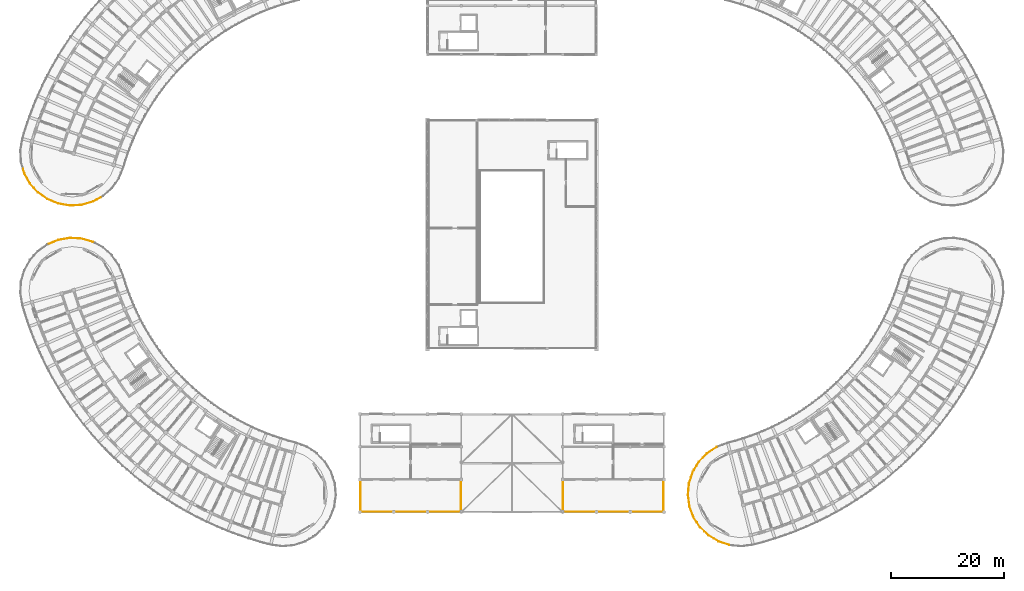
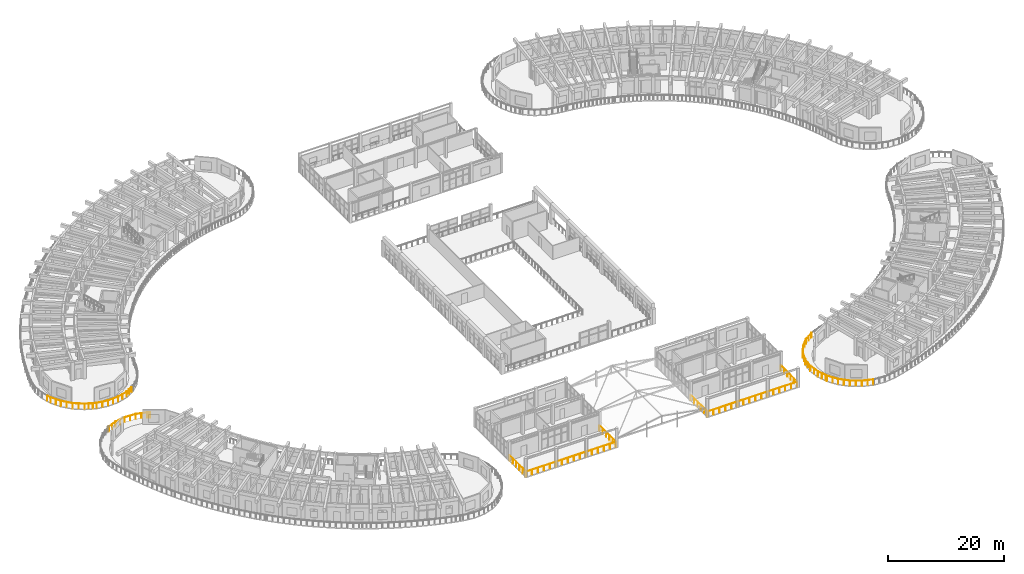
# One storey, part 111 of 128: 8 railings.
"""IFC4 building model written with IfcOpenShell, lengths in metres."""

import ifcopenshell
import ifcopenshell.guid

model = None  # the IFC model being written
_history = None  # IfcOwnerHistory: only IFC2X3 demands one
_inside = {}  # id of a spatial element -> (the spatial element, [elements in it])
_under = {}  # id of a project, library or spatial element -> (it, [spatial elements below it])
_declared = {}  # id of a project -> (the project, [libraries it declares])
_typed = {}  # id of a type object -> (the type object, [elements of that type])
_made_of = {}  # id of a material, layer set ... -> (it, [elements and type objects made of it])


def new_model(schema):
    """Start an empty IFC model of exactly this schema.

    Asked for "IFC4X3", IfcOpenShell would pick the latest addendum, in which some entities
    have other attributes; the version numbers below select the first issue.
    IFC2X3 requires an IfcOwnerHistory on every rooted entity: one is made here for all.
    """
    global model, _history
    if schema == "IFC4X3":
        model = ifcopenshell.file(schema_version=(4, 3, 0, 0))
    else:
        model = ifcopenshell.file(schema=schema)
    _inside.clear()
    _under.clear()
    _declared.clear()
    _typed.clear()
    _made_of.clear()
    _history = None
    if model.schema == "IFC2X3":
        org = make("IfcOrganization", Name="unknown")
        user = make(
            "IfcPersonAndOrganization",
            ThePerson=make("IfcPerson", FamilyName="unknown"),
            TheOrganization=org,
        )
        app = make(
            "IfcApplication",
            ApplicationDeveloper=org,
            Version="unknown",
            ApplicationFullName="unknown",
            ApplicationIdentifier="unknown",
        )
        _history = make(
            "IfcOwnerHistory",
            OwningUser=user,
            OwningApplication=app,
            ChangeAction="ADDED",
            CreationDate=0,
        )
    return model


def make(cls, **values):
    """One entity of the class cls with the attributes given. An attribute that is None is left unset."""
    return model.create_entity(
        cls, **{name: value for name, value in values.items() if value is not None}
    )


def rooted(cls, **values):
    """An entity with a GlobalId (a new one), such as an element, a storey or a relation."""
    return make(cls, GlobalId=ifcopenshell.guid.new(), OwnerHistory=_history, **values)


def si_unit(unit_type, name, prefix=None):
    """IfcSIUnit, for example si_unit("LENGTHUNIT", "METRE", prefix="MILLI")."""
    return make("IfcSIUnit", UnitType=unit_type, Prefix=prefix, Name=name)


def assignment(units):
    """IfcUnitAssignment: the units of a project."""
    return None if units is None else make("IfcUnitAssignment", Units=units)


def point(xyz):
    """IfcCartesianPoint."""
    return None if xyz is None else make("IfcCartesianPoint", Coordinates=xyz)


def direction(xyz):
    """IfcDirection."""
    return None if xyz is None else make("IfcDirection", DirectionRatios=xyz)


def frame(location, z_axis=None, x_axis=None):
    """IfcAxis2Placement3D, a coordinate frame: its origin and axes. An axis left out is left unset."""
    return make(
        "IfcAxis2Placement3D",
        Location=point(location),
        Axis=direction(z_axis),
        RefDirection=direction(x_axis),
    )


def frame_2d(location, x_axis=None):
    """IfcAxis2Placement2D, a coordinate frame in the plane: its origin and x axis."""
    return make(
        "IfcAxis2Placement2D", Location=point(location), RefDirection=direction(x_axis)
    )


def origin():
    """The frame at (0, 0, 0) with its axes left unset."""
    return frame((0.0, 0.0, 0.0))


def origin_2d():
    """The frame at (0, 0) in the plane with its x axis left unset."""
    return frame_2d((0.0, 0.0))


def place(relative_to, where):
    """IfcLocalPlacement: puts the frame where relative to a parent placement (None: the world)."""
    return make(
        "IfcLocalPlacement", PlacementRelTo=relative_to, RelativePlacement=where
    )


def context(
    kind, dimensions, precision=None, world=None, true_north=None, identifier=None
):
    """IfcGeometricRepresentationContext, for example the 3D "Model" context."""
    return make(
        "IfcGeometricRepresentationContext",
        ContextIdentifier=identifier,
        ContextType=kind,
        CoordinateSpaceDimension=dimensions,
        Precision=precision,
        WorldCoordinateSystem=world,
        TrueNorth=true_north,
    )


def subcontext(parent, identifier, kind, view, scale=None):
    """IfcGeometricRepresentationSubContext, for example "Body" below "Model"."""
    return make(
        "IfcGeometricRepresentationSubContext",
        ContextIdentifier=identifier,
        ContextType=kind,
        ParentContext=parent,
        TargetScale=scale,
        TargetView=view,
    )


def project(units=None, contexts=None):
    """IfcProject with its units and contexts."""
    return rooted(
        "IfcProject",
        Name="project",
        RepresentationContexts=contexts,
        UnitsInContext=assignment(units),
    )


def spatial(cls, under=None, at=None, **own):
    """A site, building, storey or space (cls), placed at a placement, below another one or the project."""
    s = rooted(cls, ObjectPlacement=at, **own)
    if under is not None:
        _under.setdefault(under.id(), (under, []))[1].append(s)
    return s


def profile(cls, at=None, kind="AREA", **sizes):
    """A parametric profile (cls). Its sizes go by their IFC names, for example OverallWidth=200.0."""
    return make(cls, ProfileType=kind, Position=at, **sizes)


def circle(**sizes):
    """IfcCircleProfileDef."""
    return profile("IfcCircleProfileDef", **sizes)


def extrude(swept, where, along, depth):
    """IfcExtrudedAreaSolid: the profile swept, set in the frame where, extruded along a direction by depth."""
    return make(
        "IfcExtrudedAreaSolid",
        SweptArea=swept,
        Position=where,
        ExtrudedDirection=direction(along),
        Depth=depth,
    )


def shape(context_of_items, identifier, shape_type, items):
    """IfcShapeRepresentation: the items that make up one representation, for example the "Body"."""
    return make(
        "IfcShapeRepresentation",
        ContextOfItems=context_of_items,
        RepresentationIdentifier=identifier,
        RepresentationType=shape_type,
        Items=items,
    )


def material(Name=None, Category=None):
    """IfcMaterial."""
    return make("IfcMaterial", Name=Name, Category=Category)


def made_of(thing, what):
    """Note that an element or type object is made of a material, layer set ...; save() writes the relation."""
    if what is not None:
        _made_of.setdefault(what.id(), (what, []))[1].append(thing)
    return thing


def type_object(cls, material=None, **own):
    """A type object (cls), such as IfcWallType, which elements share."""
    return made_of(rooted(cls, **own), material)


def element(
    cls,
    number,
    at=None,
    inside=None,
    cuts=None,
    type_object=None,
    material=None,
    context=None,
    identifier="Body",
    shape_type=None,
    held_by="IfcProductDefinitionShape",
    body=None,
    shapes=None,
    **own,
):
    """One element of the class cls, such as IfcWall. Its Tag is "e" and its number.

    at: its placement. inside: the storey or other place that contains it. cuts: it is an
    opening in that element (IfcRelVoidsElement). A single representation is given by context,
    identifier, shape_type and body (its items); several are given by shapes. held_by: the class
    of the entity that holds the representations. save() writes the other relations.
    """
    e = rooted(cls, Tag="e%d" % number, ObjectPlacement=at, **own)
    if body is not None:
        shapes = [shape(context, identifier, shape_type, body)]
    if shapes is not None:
        e.Representation = make(held_by, Representations=shapes)
    if inside is not None:
        _inside.setdefault(inside.id(), (inside, []))[1].append(e)
    if cuts is not None:
        rooted(
            "IfcRelVoidsElement", RelatingBuildingElement=cuts, RelatedOpeningElement=e
        )
    if type_object is not None:
        _typed.setdefault(type_object.id(), (type_object, []))[1].append(e)
    return made_of(e, material)


def aggregate(whole, parts):
    """IfcRelAggregates: a whole, such as a stair, and the parts it consists of."""
    return rooted("IfcRelAggregates", RelatingObject=whole, RelatedObjects=parts)


def save(model, path):
    """Write the relations noted so far, then the file.

    IfcRelAggregates (storeys below a building ...), IfcRelContainedInSpatialStructure (elements
    in a storey), IfcRelDefinesByType, IfcRelAssociatesMaterial and IfcRelDeclares: one each for
    every whole, place, type object, material and project.
    """
    for whole, parts in _under.values():
        aggregate(whole, parts)
    for where, things in _inside.values():
        rooted(
            "IfcRelContainedInSpatialStructure",
            RelatedElements=things,
            RelatingStructure=where,
        )
    for kind, things in _typed.values():
        rooted("IfcRelDefinesByType", RelatedObjects=things, RelatingType=kind)
    for what, things in _made_of.values():
        rooted("IfcRelAssociatesMaterial", RelatedObjects=things, RelatingMaterial=what)
    for by, libraries in _declared.values():
        rooted("IfcRelDeclares", RelatingContext=by, RelatedDefinitions=libraries)
    model.write(path)


model = new_model("IFC4")

# Units and contexts
model_context = context("Model", 3, precision=1e-05, world=origin(), true_north=direction((0.0, 1.0)))
body_context = subcontext(model_context, "Body", "Model", "MODEL_VIEW")
ifc_project = project(units=[si_unit("LENGTHUNIT", "METRE"), si_unit("AREAUNIT", "SQUARE_METRE"), si_unit("VOLUMEUNIT", "CUBIC_METRE"), si_unit("PLANEANGLEUNIT", "RADIAN"), si_unit("MASSUNIT", "GRAM", prefix="KILO")], contexts=[model_context])

# Site, building, storey
site_placement = place(None, origin())
site = spatial("IfcSite", under=ifc_project, at=site_placement, CompositionType="ELEMENT")
building_placement = place(site_placement, origin())
building = spatial("IfcBuilding", under=site, at=building_placement, Name="Tanwirah Colonnade Gardens", CompositionType="ELEMENT")
storey_placement = place(building_placement, frame((0.0, 0.0, 4.760009765625)))
storey = spatial("IfcBuildingStorey", under=building, at=storey_placement, Name="L01", CompositionType="ELEMENT", Elevation=4.760009765625)

# Railings
ifc_material = material(Name="Precast concrete C40/50", Category="concrete")
railing_type_1 = type_object("IfcRailingType", Name="BAL-EXT110", PredefinedType="BALUSTRADE", material=ifc_material)
railing_1_placement = place(storey_placement, frame((10.767333984375, 58.4326171875, 0.0)))
element("IfcRailing", 1, at=railing_1_placement, inside=storey, type_object=railing_type_1, Name="Block C L01 Balcony Ribbon Balustrade 19", PredefinedType="BALUSTRADE", context=body_context, shape_type="SweptSolid", body=[
    extrude(circle(Radius=0.02392578125, at=origin_2d()), frame((0.02880859375, 0.011962890625, 1.076171875), z_axis=(0.92436866453, 0.381500422064, 0.0), x_axis=(-0.381500422064, 0.92436866453, 0.0)), (0.0, 0.0, 1.0), 1.7529296875),
    extrude(circle(Radius=0.02392578125, at=origin_2d()), frame((1.708984375, 0.69775390625, 1.076171875), z_axis=(0.986066327641, 0.166352629957, 0.0), x_axis=(-0.166352629957, 0.986066327641, 0.0)), (0.0, 0.0, 1.0), 2.0244140625),
    extrude(circle(Radius=0.02392578125, at=origin_2d()), frame((3.767333984375, 1.0380859375, 1.076171875), z_axis=(0.998355686266, -0.057322977065, 0.0), x_axis=(0.057322977065, 0.998355686266, 0.0)), (0.0, 0.0, 1.0), 2.0244140625),
    extrude(circle(Radius=0.02392578125, at=origin_2d()), frame((5.849609375, 0.911376953125, 1.076171875), z_axis=(0.960560153031, -0.278072279108, 0.0), x_axis=(0.278072279108, 0.960560153031, 0.0)), (0.0, 0.0, 1.0), 2.0244140625),
    extrude(circle(Radius=0.02392578125, at=origin_2d()), frame((7.8515625, 0.32470703125, 1.076171875), z_axis=(0.874592040268, -0.484859529245, 0.0), x_axis=(0.484859529245, 0.874592040268, 0.0)), (0.0, 0.0, 1.0), 0.36083984375),
    extrude(circle(Radius=0.02099609375, at=origin_2d()), origin(), (0.0, 0.0, 1.0), 1.049072265625),
    extrude(circle(Radius=0.02099609375, at=origin_2d()), frame((0.839111328125, 0.34619140625, 0.0)), (0.0, 0.0, 1.0), 1.049072265625),
    extrude(circle(Radius=0.02099609375, at=origin_2d()), frame((1.67822265625, 0.692626953125, 0.0)), (0.0, 0.0, 1.0), 1.049072265625),
    extrude(circle(Radius=0.02099609375, at=origin_2d()), frame((2.70703125, 0.8662109375, 0.0)), (0.0, 0.0, 1.0), 1.049072265625),
    extrude(circle(Radius=0.02099609375, at=origin_2d()), frame((3.736083984375, 1.039794921875, 0.0)), (0.0, 0.0, 1.0), 1.049072265625),
    extrude(circle(Radius=0.02099609375, at=origin_2d()), frame((4.77783203125, 0.97998046875, 0.0)), (0.0, 0.0, 1.0), 1.049072265625),
    extrude(circle(Radius=0.02099609375, at=origin_2d()), frame((5.819580078125, 0.920166015625, 0.0)), (0.0, 0.0, 1.0), 1.049072265625),
    extrude(circle(Radius=0.02099609375, at=origin_2d()), frame((6.82177734375, 0.6298828125, 0.0)), (0.0, 0.0, 1.0), 1.049072265625),
    extrude(circle(Radius=0.02099609375, at=origin_2d()), frame((7.82421875, 0.33984375, 0.0)), (0.0, 0.0, 1.0), 1.049072265625),
    extrude(circle(Radius=0.02099609375, at=origin_2d()), frame((8.194580078125, 0.134521484375, 0.0)), (0.0, 0.0, 1.0), 1.049072265625),
])
railing_2_placement = place(storey_placement, frame((131.574951171875, 4.956298828125, 0.0)))
element("IfcRailing", 2, at=railing_2_placement, inside=storey, type_object=railing_type_1, Name="Block D L01 Balcony Ribbon Balustrade 18", PredefinedType="BALUSTRADE", context=body_context, shape_type="SweptSolid", body=[
    extrude(circle(Radius=0.02392578125, at=origin_2d()), frame((-0.02978515625, 0.009765625, 1.076171875), z_axis=(-0.950295740151, 0.311348689176, 0.0), x_axis=(-0.311348689176, -0.950295740151, 0.0)), (0.0, 0.0, 1.0), 1.90576171875),
    extrude(circle(Radius=0.02392578125, at=origin_2d()), frame((-1.897216796875, 0.62890625, 1.076171875), z_axis=(-0.85719342111, 0.514994600754, 0.0), x_axis=(-0.514994600754, -0.85719342111, 0.0)), (0.0, 0.0, 1.0), 2.0244140625),
    extrude(circle(Radius=0.02392578125, at=origin_2d()), frame((-3.681640625, 1.709228515625, 1.076171875), z_axis=(-0.721062309091, 0.692870223353, 0.0), x_axis=(-0.692870223353, -0.721062309091, 0.0)), (0.0, 0.0, 1.0), 2.0244140625),
    extrude(circle(Radius=0.02392578125, at=origin_2d()), frame((-5.18115234375, 3.15966796875, 1.076171875), z_axis=(-0.548773979468, 0.835970764715, 0.0), x_axis=(-0.835970764715, -0.548773979468, 0.0)), (0.0, 0.0, 1.0), 2.0244140625),
    extrude(circle(Radius=0.02392578125, at=origin_2d()), frame((-6.3203125, 4.907470703125, 1.076171875), z_axis=(-0.349248505254, 0.937030139098, 0.0), x_axis=(-0.937030139098, -0.349248505254, 0.0)), (0.0, 0.0, 1.0), 0.208740234375),
    extrude(circle(Radius=0.02099609375, at=origin_2d()), origin(), (0.0, 0.0, 1.0), 1.049072265625),
    extrude(circle(Radius=0.02099609375, at=origin_2d()), frame((-0.93505859375, 0.306396484375, 0.0)), (0.0, 0.0, 1.0), 1.049072265625),
    extrude(circle(Radius=0.02099609375, at=origin_2d()), frame((-1.870361328125, 0.61279296875, 0.0)), (0.0, 0.0, 1.0), 1.049072265625),
    extrude(circle(Radius=0.02099609375, at=origin_2d()), frame((-2.7646484375, 1.150146484375, 0.0)), (0.0, 0.0, 1.0), 1.049072265625),
    extrude(circle(Radius=0.02099609375, at=origin_2d()), frame((-3.6591796875, 1.6875, 0.0)), (0.0, 0.0, 1.0), 1.049072265625),
    extrude(circle(Radius=0.02099609375, at=origin_2d()), frame((-4.41162109375, 2.41064453125, 0.0)), (0.0, 0.0, 1.0), 1.049072265625),
    extrude(circle(Radius=0.02099609375, at=origin_2d()), frame((-5.1640625, 3.133544921875, 0.0)), (0.0, 0.0, 1.0), 1.049072265625),
    extrude(circle(Radius=0.02099609375, at=origin_2d()), frame((-5.73681640625, 4.005859375, 0.0)), (0.0, 0.0, 1.0), 1.049072265625),
    extrude(circle(Radius=0.02099609375, at=origin_2d()), frame((-6.309326171875, 4.878173828125, 0.0)), (0.0, 0.0, 1.0), 1.049072265625),
    extrude(circle(Radius=0.02099609375, at=origin_2d()), frame((-6.404052734375, 5.13232421875, 0.0)), (0.0, 0.0, 1.0), 1.049072265625),
])
railing_3_placement = place(storey_placement, frame((125.1708984375, 10.088623046875, 0.0)))
element("IfcRailing", 3, at=railing_3_placement, inside=storey, type_object=railing_type_1, Name="Block D L01 Balcony Ribbon Balustrade 19", PredefinedType="BALUSTRADE", context=body_context, shape_type="SweptSolid", body=[
    extrude(circle(Radius=0.02392578125, at=origin_2d()), frame((-0.010986328125, 0.029296875, 1.076171875), z_axis=(-0.348956204715, 0.93713903301, 0.0), x_axis=(-0.93713903301, -0.348956204715, 0.0)), (0.0, 0.0, 1.0), 1.7529296875),
    extrude(circle(Radius=0.02392578125, at=origin_2d()), frame((-0.6376953125, 1.732421875, 1.076171875), z_axis=(-0.131849522063, 0.991269743073, 0.0), x_axis=(-0.991269743073, -0.131849522063, 0.0)), (0.0, 0.0, 1.0), 2.0244140625),
    extrude(circle(Radius=0.02392578125, at=origin_2d()), frame((-0.90576171875, 3.80126953125, 1.076171875), z_axis=(0.092181027347, 0.995742264945, 0.0), x_axis=(-0.995742264945, 0.092181027347, 0.0)), (0.0, 0.0, 1.0), 2.0244140625),
    extrude(circle(Radius=0.02392578125, at=origin_2d()), frame((-0.70654296875, 5.8779296875, 1.076171875), z_axis=(0.311415597507, 0.950273816134, 0.0), x_axis=(-0.950273816134, 0.311415597507, 0.0)), (0.0, 0.0, 1.0), 2.0244140625),
    extrude(circle(Radius=0.02392578125, at=origin_2d()), frame((-0.05029296875, 7.858154296875, 1.076171875), z_axis=(0.51483484624, 0.857289380021, 0.0), x_axis=(-0.857289380021, 0.51483484624, 0.0)), (0.0, 0.0, 1.0), 0.36083984375),
    extrude(circle(Radius=0.02099609375, at=origin_2d()), origin(), (0.0, 0.0, 1.0), 1.049072265625),
    extrude(circle(Radius=0.02099609375, at=origin_2d()), frame((-0.31689453125, 0.8505859375, 0.0)), (0.0, 0.0, 1.0), 1.049072265625),
    extrude(circle(Radius=0.02099609375, at=origin_2d()), frame((-0.633544921875, 1.701416015625, 0.0)), (0.0, 0.0, 1.0), 1.049072265625),
    extrude(circle(Radius=0.02099609375, at=origin_2d()), frame((-0.77099609375, 2.73583984375, 0.0)), (0.0, 0.0, 1.0), 1.049072265625),
    extrude(circle(Radius=0.02099609375, at=origin_2d()), frame((-0.90869140625, 3.77001953125, 0.0)), (0.0, 0.0, 1.0), 1.049072265625),
    extrude(circle(Radius=0.02099609375, at=origin_2d()), frame((-0.8125, 4.80908203125, 0.0)), (0.0, 0.0, 1.0), 1.049072265625),
    extrude(circle(Radius=0.02099609375, at=origin_2d()), frame((-0.71630859375, 5.84814453125, 0.0)), (0.0, 0.0, 1.0), 1.049072265625),
    extrude(circle(Radius=0.02099609375, at=origin_2d()), frame((-0.391357421875, 6.83984375, 0.0)), (0.0, 0.0, 1.0), 1.049072265625),
    extrude(circle(Radius=0.02099609375, at=origin_2d()), frame((-0.06640625, 7.831298828125, 0.0)), (0.0, 0.0, 1.0), 1.049072265625),
    extrude(circle(Radius=0.02099609375, at=origin_2d()), frame((0.151611328125, 8.1943359375, 0.0)), (0.0, 0.0, 1.0), 1.049072265625),
])
railing_4_placement = place(storey_placement, frame((125.322509765625, 18.282958984375, 0.0)))
element("IfcRailing", 4, at=railing_4_placement, inside=storey, type_object=railing_type_1, Name="Block D L01 Balcony Ribbon Balustrade 20", PredefinedType="BALUSTRADE", context=body_context, shape_type="SweptSolid", body=[
    extrude(circle(Radius=0.02392578125, at=origin_2d()), frame((0.01611328125, 0.02685546875, 1.076171875), z_axis=(0.515035269405, 0.857168986413, 0.0), x_axis=(-0.857168986413, 0.515035269405, 0.0)), (0.0, 0.0, 1.0), 1.600830078125),
    extrude(circle(Radius=0.02392578125, at=origin_2d()), frame((0.87841796875, 1.4482421875, 1.076171875), z_axis=(0.692870223353, 0.721062309091, 0.0), x_axis=(-0.721062309091, 0.692870223353, 0.0)), (0.0, 0.0, 1.0), 2.0244140625),
    extrude(circle(Radius=0.02392578125, at=origin_2d()), frame((2.328857421875, 2.94775390625, 1.076171875), z_axis=(0.835935529347, 0.548827651248, 0.0), x_axis=(-0.548827651248, 0.835935529347, 0.0)), (0.0, 0.0, 1.0), 2.024169921875),
    extrude(circle(Radius=0.02099609375, at=origin_2d()), origin(), (0.0, 0.0, 1.0), 1.049072265625),
    extrude(circle(Radius=0.02099609375, at=origin_2d()), frame((0.42822265625, 0.712890625, 0.0)), (0.0, 0.0, 1.0), 1.049072265625),
    extrude(circle(Radius=0.02099609375, at=origin_2d()), frame((0.856689453125, 1.42578125, 0.0)), (0.0, 0.0, 1.0), 1.049072265625),
    extrude(circle(Radius=0.02099609375, at=origin_2d()), frame((1.57958984375, 2.17822265625, 0.0)), (0.0, 0.0, 1.0), 1.049072265625),
    extrude(circle(Radius=0.02099609375, at=origin_2d()), frame((2.302734375, 2.9306640625, 0.0)), (0.0, 0.0, 1.0), 1.049072265625),
    extrude(circle(Radius=0.02099609375, at=origin_2d()), frame((3.1748046875, 3.50341796875, 0.0)), (0.0, 0.0, 1.0), 1.049072265625),
    extrude(circle(Radius=0.02099609375, at=origin_2d()), frame((4.047119140625, 4.075927734375, 0.0)), (0.0, 0.0, 1.0), 1.049072265625),
])
railing_5_placement = place(storey_placement, frame((66.080078125, 16.52001953125, 0.0)))
element("IfcRailing", 5, at=railing_5_placement, inside=storey, type_object=railing_type_1, Name="Boulevard Arcade W L01 Terrace Balustrade", PredefinedType="BALUSTRADE", context=body_context, shape_type="SweptSolid", body=[
    extrude(circle(Radius=0.02392578125, at=origin_2d()), frame((0.0, -0.03125, 1.076171875), z_axis=(0.0, -1.0, 0.0), x_axis=(1.0, 0.0, 0.0)), (0.0, 0.0, 1.0), 5.57763671875),
    extrude(circle(Radius=0.02392578125, at=origin_2d()), frame((0.03125, -5.64013671875, 1.076171875), z_axis=(1.0, 0.0, 0.0), x_axis=(0.0, 1.0, 0.0)), (0.0, 0.0, 1.0), 17.77734375),
    extrude(circle(Radius=0.02392578125, at=origin_2d()), frame((17.83984375, -5.60888671875, 1.076171875), z_axis=(0.0, 1.0, 0.0), x_axis=(-1.0, 0.0, 0.0)), (0.0, 0.0, 1.0), 5.57763671875),
    extrude(circle(Radius=0.02099609375, at=origin_2d()), origin(), (0.0, 0.0, 1.0), 1.049072265625),
    extrude(circle(Radius=0.02099609375, at=origin_2d()), frame((0.0, -1.1279296875, 0.0)), (0.0, 0.0, 1.0), 1.049072265625),
    extrude(circle(Radius=0.02099609375, at=origin_2d()), frame((0.0, -2.256103515625, 0.0)), (0.0, 0.0, 1.0), 1.049072265625),
    extrude(circle(Radius=0.02099609375, at=origin_2d()), frame((0.0, -3.384033203125, 0.0)), (0.0, 0.0, 1.0), 1.049072265625),
    extrude(circle(Radius=0.02099609375, at=origin_2d()), frame((0.0, -4.51220703125, 0.0)), (0.0, 0.0, 1.0), 1.049072265625),
    extrude(circle(Radius=0.02099609375, at=origin_2d()), frame((0.0, -5.64013671875, 0.0)), (0.0, 0.0, 1.0), 1.049072265625),
    extrude(circle(Radius=0.02099609375, at=origin_2d()), frame((1.189208984375, -5.64013671875, 0.0)), (0.0, 0.0, 1.0), 1.049072265625),
    extrude(circle(Radius=0.02099609375, at=origin_2d()), frame((2.378662109375, -5.64013671875, 0.0)), (0.0, 0.0, 1.0), 1.049072265625),
    extrude(circle(Radius=0.02099609375, at=origin_2d()), frame((3.56787109375, -5.64013671875, 0.0)), (0.0, 0.0, 1.0), 1.049072265625),
    extrude(circle(Radius=0.02099609375, at=origin_2d()), frame((4.75732421875, -5.64013671875, 0.0)), (0.0, 0.0, 1.0), 1.049072265625),
    extrude(circle(Radius=0.02099609375, at=origin_2d()), frame((5.946533203125, -5.64013671875, 0.0)), (0.0, 0.0, 1.0), 1.049072265625),
    extrude(circle(Radius=0.02099609375, at=origin_2d()), frame((7.135986328125, -5.64013671875, 0.0)), (0.0, 0.0, 1.0), 1.049072265625),
    extrude(circle(Radius=0.02099609375, at=origin_2d()), frame((8.3251953125, -5.64013671875, 0.0)), (0.0, 0.0, 1.0), 1.049072265625),
    extrude(circle(Radius=0.02099609375, at=origin_2d()), frame((9.5146484375, -5.64013671875, 0.0)), (0.0, 0.0, 1.0), 1.049072265625),
    extrude(circle(Radius=0.02099609375, at=origin_2d()), frame((10.703857421875, -5.64013671875, 0.0)), (0.0, 0.0, 1.0), 1.049072265625),
    extrude(circle(Radius=0.02099609375, at=origin_2d()), frame((11.893310546875, -5.64013671875, 0.0)), (0.0, 0.0, 1.0), 1.049072265625),
    extrude(circle(Radius=0.02099609375, at=origin_2d()), frame((13.08251953125, -5.64013671875, 0.0)), (0.0, 0.0, 1.0), 1.049072265625),
    extrude(circle(Radius=0.02099609375, at=origin_2d()), frame((14.27197265625, -5.64013671875, 0.0)), (0.0, 0.0, 1.0), 1.049072265625),
    extrude(circle(Radius=0.02099609375, at=origin_2d()), frame((15.461181640625, -5.64013671875, 0.0)), (0.0, 0.0, 1.0), 1.049072265625),
    extrude(circle(Radius=0.02099609375, at=origin_2d()), frame((16.650634765625, -5.64013671875, 0.0)), (0.0, 0.0, 1.0), 1.049072265625),
    extrude(circle(Radius=0.02099609375, at=origin_2d()), frame((17.83984375, -5.64013671875, 0.0)), (0.0, 0.0, 1.0), 1.049072265625),
    extrude(circle(Radius=0.02099609375, at=origin_2d()), frame((17.83984375, -4.51220703125, 0.0)), (0.0, 0.0, 1.0), 1.049072265625),
    extrude(circle(Radius=0.02099609375, at=origin_2d()), frame((17.83984375, -3.384033203125, 0.0)), (0.0, 0.0, 1.0), 1.049072265625),
    extrude(circle(Radius=0.02099609375, at=origin_2d()), frame((17.83984375, -2.256103515625, 0.0)), (0.0, 0.0, 1.0), 1.049072265625),
    extrude(circle(Radius=0.02099609375, at=origin_2d()), frame((17.83984375, -1.1279296875, 0.0)), (0.0, 0.0, 1.0), 1.049072265625),
    extrude(circle(Radius=0.02099609375, at=origin_2d()), frame((17.83984375, 0.0, 0.0)), (0.0, 0.0, 1.0), 1.049072265625),
])
railing_6_placement = place(storey_placement, frame((102.080078125, 16.52001953125, 0.0)))
element("IfcRailing", 6, at=railing_6_placement, inside=storey, type_object=railing_type_1, Name="Boulevard Arcade E L01 Terrace Balustrade", PredefinedType="BALUSTRADE", context=body_context, shape_type="SweptSolid", body=[
    extrude(circle(Radius=0.02392578125, at=origin_2d()), frame((0.0, -0.03125, 1.076171875), z_axis=(0.0, -1.0, 0.0), x_axis=(1.0, 0.0, 0.0)), (0.0, 0.0, 1.0), 5.57763671875),
    extrude(circle(Radius=0.02392578125, at=origin_2d()), frame((0.03125, -5.64013671875, 1.076171875), z_axis=(1.0, 0.0, 0.0), x_axis=(0.0, 1.0, 0.0)), (0.0, 0.0, 1.0), 17.77734375),
    extrude(circle(Radius=0.02392578125, at=origin_2d()), frame((17.83984375, -5.60888671875, 1.076171875), z_axis=(0.0, 1.0, 0.0), x_axis=(-1.0, 0.0, 0.0)), (0.0, 0.0, 1.0), 5.57763671875),
    extrude(circle(Radius=0.02099609375, at=origin_2d()), origin(), (0.0, 0.0, 1.0), 1.049072265625),
    extrude(circle(Radius=0.02099609375, at=origin_2d()), frame((0.0, -1.1279296875, 0.0)), (0.0, 0.0, 1.0), 1.049072265625),
    extrude(circle(Radius=0.02099609375, at=origin_2d()), frame((0.0, -2.256103515625, 0.0)), (0.0, 0.0, 1.0), 1.049072265625),
    extrude(circle(Radius=0.02099609375, at=origin_2d()), frame((0.0, -3.384033203125, 0.0)), (0.0, 0.0, 1.0), 1.049072265625),
    extrude(circle(Radius=0.02099609375, at=origin_2d()), frame((0.0, -4.51220703125, 0.0)), (0.0, 0.0, 1.0), 1.049072265625),
    extrude(circle(Radius=0.02099609375, at=origin_2d()), frame((0.0, -5.64013671875, 0.0)), (0.0, 0.0, 1.0), 1.049072265625),
    extrude(circle(Radius=0.02099609375, at=origin_2d()), frame((1.189208984375, -5.64013671875, 0.0)), (0.0, 0.0, 1.0), 1.049072265625),
    extrude(circle(Radius=0.02099609375, at=origin_2d()), frame((2.378662109375, -5.64013671875, 0.0)), (0.0, 0.0, 1.0), 1.049072265625),
    extrude(circle(Radius=0.02099609375, at=origin_2d()), frame((3.56787109375, -5.64013671875, 0.0)), (0.0, 0.0, 1.0), 1.049072265625),
    extrude(circle(Radius=0.02099609375, at=origin_2d()), frame((4.75732421875, -5.64013671875, 0.0)), (0.0, 0.0, 1.0), 1.049072265625),
    extrude(circle(Radius=0.02099609375, at=origin_2d()), frame((5.946533203125, -5.64013671875, 0.0)), (0.0, 0.0, 1.0), 1.049072265625),
    extrude(circle(Radius=0.02099609375, at=origin_2d()), frame((7.135986328125, -5.64013671875, 0.0)), (0.0, 0.0, 1.0), 1.049072265625),
    extrude(circle(Radius=0.02099609375, at=origin_2d()), frame((8.3251953125, -5.64013671875, 0.0)), (0.0, 0.0, 1.0), 1.049072265625),
    extrude(circle(Radius=0.02099609375, at=origin_2d()), frame((9.5146484375, -5.64013671875, 0.0)), (0.0, 0.0, 1.0), 1.049072265625),
    extrude(circle(Radius=0.02099609375, at=origin_2d()), frame((10.703857421875, -5.64013671875, 0.0)), (0.0, 0.0, 1.0), 1.049072265625),
    extrude(circle(Radius=0.02099609375, at=origin_2d()), frame((11.893310546875, -5.64013671875, 0.0)), (0.0, 0.0, 1.0), 1.049072265625),
    extrude(circle(Radius=0.02099609375, at=origin_2d()), frame((13.08251953125, -5.64013671875, 0.0)), (0.0, 0.0, 1.0), 1.049072265625),
    extrude(circle(Radius=0.02099609375, at=origin_2d()), frame((14.27197265625, -5.64013671875, 0.0)), (0.0, 0.0, 1.0), 1.049072265625),
    extrude(circle(Radius=0.02099609375, at=origin_2d()), frame((15.461181640625, -5.64013671875, 0.0)), (0.0, 0.0, 1.0), 1.049072265625),
    extrude(circle(Radius=0.02099609375, at=origin_2d()), frame((16.650634765625, -5.64013671875, 0.0)), (0.0, 0.0, 1.0), 1.049072265625),
    extrude(circle(Radius=0.02099609375, at=origin_2d()), frame((17.83984375, -5.64013671875, 0.0)), (0.0, 0.0, 1.0), 1.049072265625),
    extrude(circle(Radius=0.02099609375, at=origin_2d()), frame((17.83984375, -4.51220703125, 0.0)), (0.0, 0.0, 1.0), 1.049072265625),
    extrude(circle(Radius=0.02099609375, at=origin_2d()), frame((17.83984375, -3.384033203125, 0.0)), (0.0, 0.0, 1.0), 1.049072265625),
    extrude(circle(Radius=0.02099609375, at=origin_2d()), frame((17.83984375, -2.256103515625, 0.0)), (0.0, 0.0, 1.0), 1.049072265625),
    extrude(circle(Radius=0.02099609375, at=origin_2d()), frame((17.83984375, -1.1279296875, 0.0)), (0.0, 0.0, 1.0), 1.049072265625),
    extrude(circle(Radius=0.02099609375, at=origin_2d()), frame((17.83984375, 0.0, 0.0)), (0.0, 0.0, 1.0), 1.049072265625),
])
railing_type_2 = type_object("IfcRailingType", Name="BAL-EXT112", PredefinedType="BALUSTRADE", material=ifc_material)
railing_7_placement = place(storey_placement, frame((19.978515625, 66.6962890625, 0.0)))
element("IfcRailing", 7, at=railing_7_placement, inside=storey, type_object=railing_type_2, Name="Block A L01 Balcony Ribbon Balustrade 8", PredefinedType="BALUSTRADE", context=body_context, shape_type="SweptSolid", body=[
    extrude(circle(Radius=0.02392578125, at=origin_2d()), frame((-0.02734375, -0.01513671875, 1.09619140625), z_axis=(-0.874621647365, -0.48480611997, 0.0), x_axis=(0.48480611997, -0.874621647365, 0.0)), (0.0, 0.0, 1.0), 1.523193359375),
    extrude(circle(Radius=0.02392578125, at=origin_2d()), frame((-1.4169921875, -0.777587890625, 1.09619140625), z_axis=(-0.960560153031, -0.278072279108, 0.0), x_axis=(0.278072279108, -0.960560153031, 0.0)), (0.0, 0.0, 1.0), 2.0244140625),
    extrude(circle(Radius=0.02392578125, at=origin_2d()), frame((-3.4228515625, -1.350830078125, 1.09619140625), z_axis=(-0.998362374442, -0.057206374631, 0.0), x_axis=(0.057206374631, -0.998362374442, 0.0)), (0.0, 0.0, 1.0), 2.0244140625),
    extrude(circle(Radius=0.02392578125, at=origin_2d()), frame((-5.505859375, -1.46337890625, 1.09619140625), z_axis=(-0.986085511051, 0.166238879013, 0.0), x_axis=(-0.166238879013, -0.986085511051, 0.0)), (0.0, 0.0, 1.0), 2.0244140625),
    extrude(circle(Radius=0.02392578125, at=origin_2d()), frame((-7.561767578125, -1.109619140625, 1.09619140625), z_axis=(-0.924376024919, 0.381482587487, 0.0), x_axis=(-0.381482587487, -0.924376024919, 0.0)), (0.0, 0.0, 1.0), 0.5908203125),
    extrude(circle(Radius=0.02099609375, at=origin_2d()), origin(), (0.0, 0.0, 1.0), 1.069091796875),
    extrude(circle(Radius=0.02099609375, at=origin_2d()), frame((-0.693359375, -0.38427734375, 0.0)), (0.0, 0.0, 1.0), 1.069091796875),
    extrude(circle(Radius=0.02099609375, at=origin_2d()), frame((-1.386962890625, -0.768798828125, 0.0)), (0.0, 0.0, 1.0), 1.069091796875),
    extrude(circle(Radius=0.02099609375, at=origin_2d()), frame((-2.38916015625, -1.05908203125, 0.0)), (0.0, 0.0, 1.0), 1.069091796875),
    extrude(circle(Radius=0.02099609375, at=origin_2d()), frame((-3.3916015625, -1.34912109375, 0.0)), (0.0, 0.0, 1.0), 1.069091796875),
    extrude(circle(Radius=0.02099609375, at=origin_2d()), frame((-4.433349609375, -1.40869140625, 0.0)), (0.0, 0.0, 1.0), 1.069091796875),
    extrude(circle(Radius=0.02099609375, at=origin_2d()), frame((-5.47509765625, -1.468505859375, 0.0)), (0.0, 0.0, 1.0), 1.069091796875),
    extrude(circle(Radius=0.02099609375, at=origin_2d()), frame((-6.50390625, -1.294921875, 0.0)), (0.0, 0.0, 1.0), 1.069091796875),
    extrude(circle(Radius=0.02099609375, at=origin_2d()), frame((-7.532958984375, -1.12158203125, 0.0)), (0.0, 0.0, 1.0), 1.069091796875),
    extrude(circle(Radius=0.02099609375, at=origin_2d()), frame((-8.136962890625, -0.872314453125, 0.0)), (0.0, 0.0, 1.0), 1.069091796875),
])
railing_8_placement = place(storey_placement, frame((11.841552734375, 65.823974609375, 0.0)))
element("IfcRailing", 8, at=railing_8_placement, inside=storey, type_object=railing_type_2, Name="Block A L01 Balcony Ribbon Balustrade 9", PredefinedType="BALUSTRADE", context=body_context, shape_type="SweptSolid", body=[
    extrude(circle(Radius=0.02392578125, at=origin_2d()), frame((-0.02880859375, 0.011962890625, 1.09619140625), z_axis=(-0.924356771704, 0.381529236893, 0.0), x_axis=(-0.381529236893, -0.924356771704, 0.0)), (0.0, 0.0, 1.0), 1.370849609375),
    extrude(circle(Radius=0.02392578125, at=origin_2d()), frame((-1.3505859375, 0.56494140625, 1.09619140625), z_axis=(-0.816286486525, 0.577647272924, 0.0), x_axis=(-0.577647272924, -0.816286486525, 0.0)), (0.0, 0.0, 1.0), 2.0244140625),
    extrude(circle(Radius=0.02392578125, at=origin_2d()), frame((-3.04931640625, 1.775634765625, 1.09619140625), z_axis=(-0.667263194146, 0.744822012119, 0.0), x_axis=(-0.744822012119, -0.667263194146, 0.0)), (0.0, 0.0, 1.0), 2.0244140625),
    extrude(circle(Radius=0.02392578125, at=origin_2d()), frame((-4.436279296875, 3.334228515625, 1.09619140625), z_axis=(-0.484808325403, 0.874620424882, 0.0), x_axis=(-0.874620424882, -0.484808325403, 0.0)), (0.0, 0.0, 1.0), 2.0244140625),
    extrude(circle(Radius=0.02392578125, at=origin_2d()), frame((-5.441650390625, 5.162109375, 1.09619140625), z_axis=(-0.277881479948, 0.960615366888, 0.0), x_axis=(-0.960615366888, -0.277881479948, 0.0)), (0.0, 0.0, 1.0), 0.7431640625),
    extrude(circle(Radius=0.02099609375, at=origin_2d()), origin(), (0.0, 0.0, 1.0), 1.069091796875),
    extrude(circle(Radius=0.02099609375, at=origin_2d()), frame((-0.66259765625, 0.2734375, 0.0)), (0.0, 0.0, 1.0), 1.069091796875),
    extrude(circle(Radius=0.02099609375, at=origin_2d()), frame((-1.324951171875, 0.546875, 0.0)), (0.0, 0.0, 1.0), 1.069091796875),
    extrude(circle(Radius=0.02099609375, at=origin_2d()), frame((-2.1767578125, 1.149658203125, 0.0)), (0.0, 0.0, 1.0), 1.069091796875),
    extrude(circle(Radius=0.02099609375, at=origin_2d()), frame((-3.028564453125, 1.75244140625, 0.0)), (0.0, 0.0, 1.0), 1.069091796875),
    extrude(circle(Radius=0.02099609375, at=origin_2d()), frame((-3.724853515625, 2.52978515625, 0.0)), (0.0, 0.0, 1.0), 1.069091796875),
    extrude(circle(Radius=0.02099609375, at=origin_2d()), frame((-4.421142578125, 3.306884765625, 0.0)), (0.0, 0.0, 1.0), 1.069091796875),
    extrude(circle(Radius=0.02099609375, at=origin_2d()), frame((-4.927001953125, 4.219482421875, 0.0)), (0.0, 0.0, 1.0), 1.069091796875),
    extrude(circle(Radius=0.02099609375, at=origin_2d()), frame((-5.432861328125, 5.132080078125, 0.0)), (0.0, 0.0, 1.0), 1.069091796875),
    extrude(circle(Radius=0.02099609375, at=origin_2d()), frame((-5.65673828125, 5.906005859375, 0.0)), (0.0, 0.0, 1.0), 1.069091796875),
])

save(model, "model.ifc")
